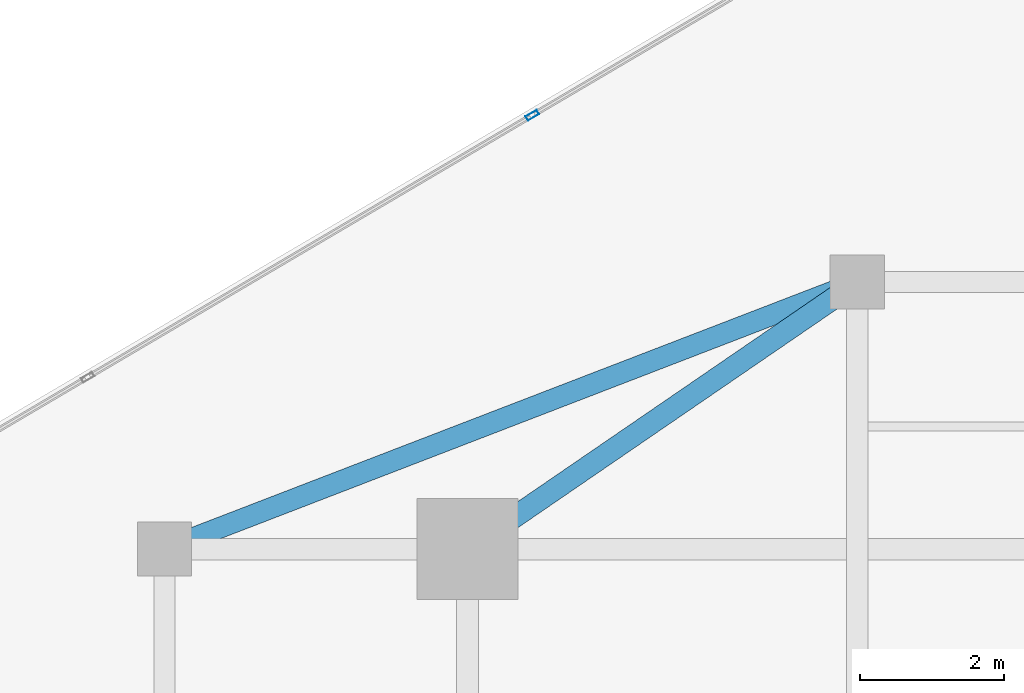
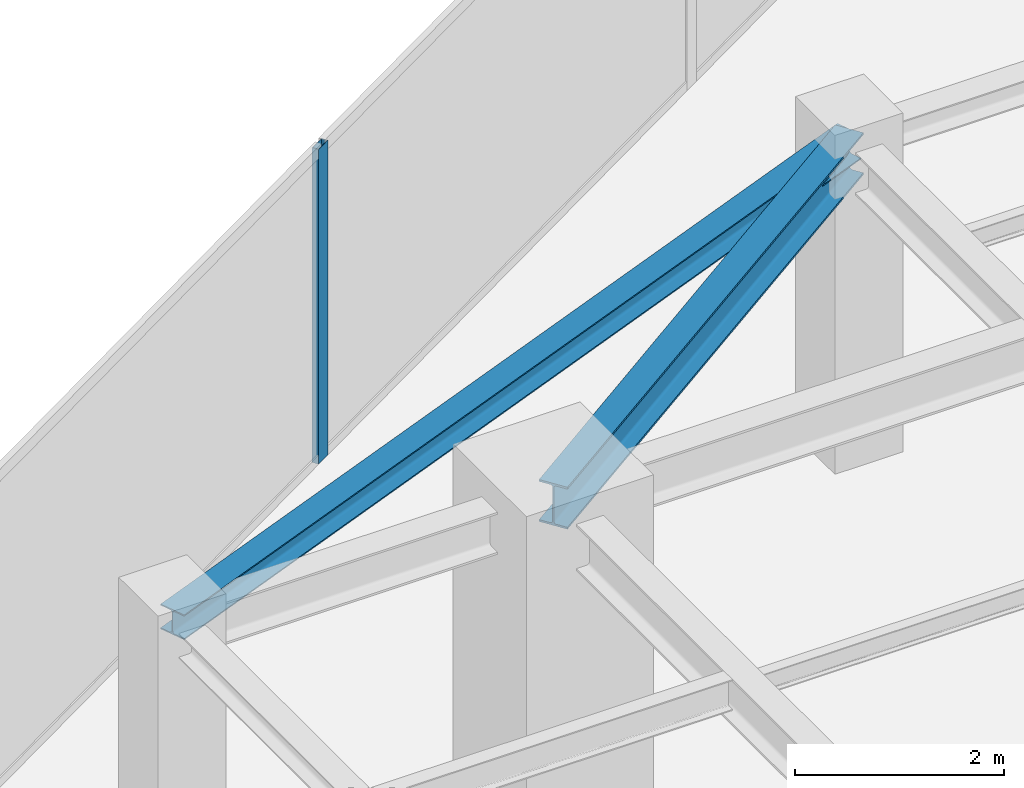
# One storey, part 12 of 20: 2 beams, 1 member, 1 element without a shape of its own.
"""IFC4 building model written with IfcOpenShell, lengths in metres."""

from ifc_helpers import new_model, si_unit, direction, frame, origin, origin_2d, place, context, subcontext, project, spatial, hollow_rectangle, i_section, extrude, source, transform, mapped, material, material_profile, profile_set, type_object, type_shapes, element, aggregate, save


model = new_model("IFC4")

# Units and contexts
model_context = context("Model", 3, precision=1e-05, world=origin(), true_north=direction((0.0, 1.0)))
body_context = subcontext(model_context, "Body", "Model", "MODEL_VIEW")
ifc_project = project(units=[si_unit("LENGTHUNIT", "METRE"), si_unit("AREAUNIT", "SQUARE_METRE"), si_unit("VOLUMEUNIT", "CUBIC_METRE"), si_unit("PLANEANGLEUNIT", "RADIAN"), si_unit("MASSUNIT", "GRAM", prefix="KILO")], contexts=[model_context])

# Site, building, storey
site_placement = place(None, origin())
site = spatial("IfcSite", under=ifc_project, at=site_placement, CompositionType="ELEMENT")
building_placement = place(site_placement, origin())
building = spatial("IfcBuilding", under=site, at=building_placement, Name="Krantzveldt Concourse Tower", CompositionType="ELEMENT")
storey_placement = place(building_placement, frame((0.0, 0.0, 299.0)))
storey = spatial("IfcBuildingStorey", under=building, at=storey_placement, Name="L73", CompositionType="ELEMENT", Elevation=299.0)

# Beams
ifc_material_1 = material(Name="Steel S355JR", Category="steel")
ifc_material_profile_1 = material_profile(ifc_material_1, i_section(OverallWidth=0.300048828125, OverallDepth=0.489990234375, WebThickness=0.011962890625, FlangeThickness=0.02294921875, FilletRadius=0.027099609375, at=origin_2d()), Name="Steel S355JR", Category="steel")
ifc_profile_set_1 = profile_set([ifc_material_profile_1], Name="Steel S355JR - HEA 500")
beam_type_1 = type_object("IfcBeamType", Name="BM-B-HEA500", PredefinedType="BEAM", material=ifc_profile_set_1)
shared_shape_1 = source(origin(), body_context, "Body", "SweptSolid", [
    extrude(i_section(OverallWidth=0.300048828125, OverallDepth=0.489990234375, WebThickness=0.011962890625, FlangeThickness=0.02294921875, FilletRadius=0.027099609375, at=origin_2d()), origin(), (0.0, 0.0, 1.0), 6.546142578125),
])
type_shapes(beam_type_1, [shared_shape_1])
beam_1_placement = place(storey_placement, frame((25.199951171875, 37.5, 3.425048828125), z_axis=(0.824942999484, 0.565215930068, 0.0), x_axis=(-0.565215930068, 0.824942999484, 0.0)))
element("IfcBeam", 1, at=beam_1_placement, inside=storey, type_object=beam_type_1, Name="L73 Tower Girder BR-RL4", PredefinedType="BEAM", context=body_context, shape_type="MappedRepresentation", body=[
    mapped(shared_shape_1, transform((0.0, 0.0, 0.0), x_axis=(1.0, 0.0, 0.0), y_axis=(0.0, 1.0, 0.0), z_axis=(0.0, 0.0, 1.0), scale=1.0)),
])
ifc_material_profile_2 = material_profile(ifc_material_1, i_section(OverallWidth=0.2900390625, OverallDepth=0.2900390625, WebThickness=0.008544921875, FlangeThickness=0.013916015625, FilletRadius=0.027099609375, at=origin_2d()), Name="Steel S355JR", Category="steel")
ifc_profile_set_2 = profile_set([ifc_material_profile_2], Name="Steel S355JR - HEA 300")
beam_type_2 = type_object("IfcBeamType", Name="BM-SP-HEA300", PredefinedType="SPANDREL", material=ifc_profile_set_2)
shared_shape_2 = source(origin(), body_context, "Body", "SweptSolid", [
    extrude(i_section(OverallWidth=0.2900390625, OverallDepth=0.2900390625, WebThickness=0.008544921875, FlangeThickness=0.013916015625, FilletRadius=0.027099609375, at=origin_2d()), origin(), (0.0, 0.0, 1.0), 10.288330078125),
])
type_shapes(beam_type_2, [shared_shape_2])
beam_2_placement = place(storey_placement, frame((21.0, 37.5, 3.52490234375), z_axis=(0.933097690408, 0.359622997257, 0.0), x_axis=(-0.359622997257, 0.933097690408, 0.0)))
element("IfcBeam", 2, at=beam_2_placement, inside=storey, type_object=beam_type_2, Name="L73 Tower Girder SP-R03", PredefinedType="SPANDREL", context=body_context, shape_type="MappedRepresentation", body=[
    mapped(shared_shape_2, transform((0.0, 0.0, 0.0), x_axis=(1.0, 0.0, 0.0), y_axis=(0.0, 1.0, 0.0), z_axis=(0.0, 0.0, 1.0), scale=1.0)),
])

# Curtain wall, member
ifc_material_2 = material(Name="Anodised aluminium 6063-T6", Category="aluminium")
curtain_wall_type = type_object("IfcCurtainWallType", Name="CW4", PredefinedType="USERDEFINED", material=ifc_material_2)
curtain_wall_placement = place(storey_placement, origin())
curtain_wall = element("IfcCurtainWall", 3, at=curtain_wall_placement, inside=storey, type_object=curtain_wall_type, Name="CW-L73-F01", ObjectType="UNITISED CURTAIN WALL", PredefinedType="USERDEFINED")
ifc_material_profile_3 = material_profile(ifc_material_2, hollow_rectangle(XDim=0.070068359375, YDim=0.179931640625, WallThickness=0.0048828125, at=origin_2d()), Name="Anodised aluminium 6063-T6", Category="aluminium")
ifc_profile_set_3 = profile_set([ifc_material_profile_3], Name="Anodised aluminium 6063-T6 - ALU-MULL 180x70x5")
member_type = type_object("IfcMemberType", Name="CW-MUL-180", PredefinedType="MULLION", material=ifc_profile_set_3)
shared_shape_3 = source(origin(), body_context, "Body", "SweptSolid", [
    extrude(hollow_rectangle(XDim=0.070068359375, YDim=0.179931640625, WallThickness=0.0048828125, at=origin_2d()), origin(), (0.0, 0.0, 1.0), 3.669921875),
])
type_shapes(member_type, [shared_shape_3])
member_placement = place(storey_placement, frame((26.097900390625, 43.510498046875, 0.0), z_axis=(0.0, 0.0, 1.0), x_axis=(0.507538344223, -0.861629171479, 0.0)))
member = element("IfcMember", 4, at=member_placement, type_object=member_type, Name="CW-Z56 mullion 3", PredefinedType="MULLION", context=body_context, shape_type="MappedRepresentation", body=[
    mapped(shared_shape_3, transform((0.0, 0.0, 0.0), x_axis=(1.0, 0.0, 0.0), y_axis=(0.0, 1.0, 0.0), z_axis=(0.0, 0.0, 1.0), scale=1.0)),
])
aggregate(curtain_wall, [member])

save(model, "model.ifc")
